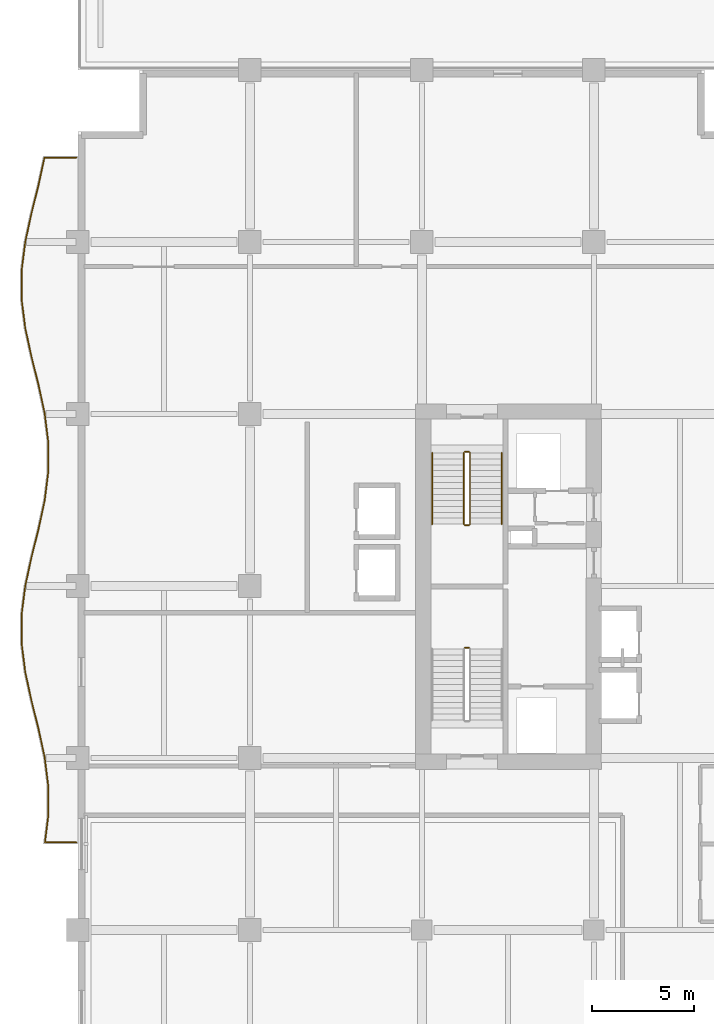
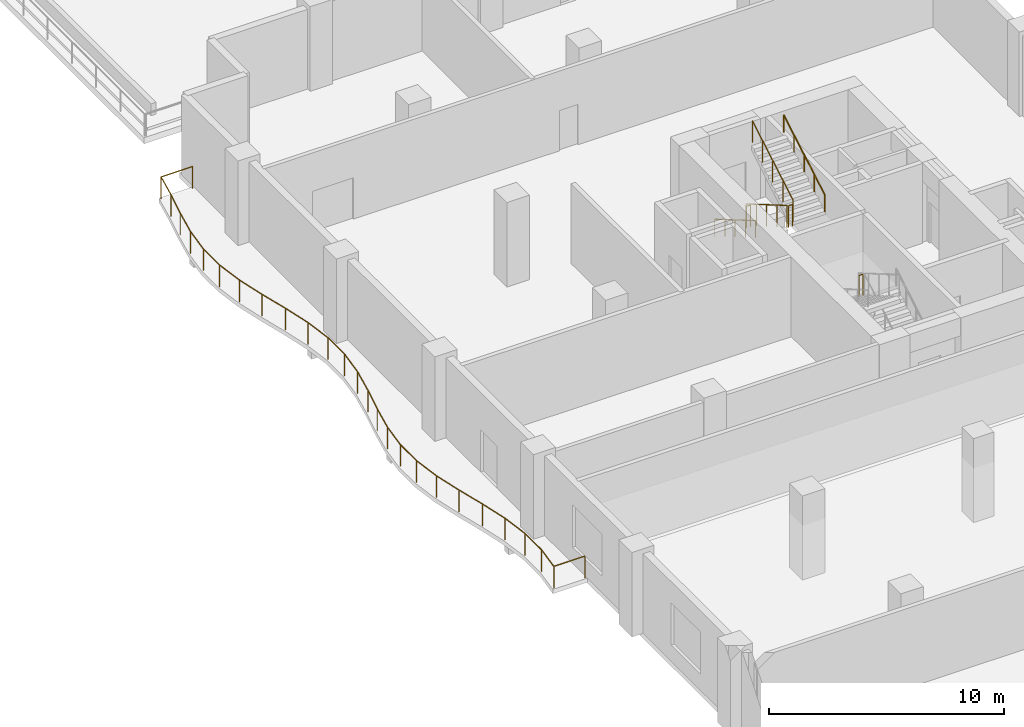
# One storey, part 21 of 22: 8 railings.
"""IFC4 building model written with IfcOpenShell, lengths in metres."""

from ifc_helpers import new_model, si_unit, direction, frame, origin, origin_2d, place, context, subcontext, project, spatial, circle, extrude, material, type_object, element, save


model = new_model("IFC4")

# Units and contexts
model_context = context("Model", 3, precision=1e-05, world=origin(), true_north=direction((0.0, 1.0)))
body_context = subcontext(model_context, "Body", "Model", "MODEL_VIEW")
ifc_project = project(units=[si_unit("LENGTHUNIT", "METRE"), si_unit("AREAUNIT", "SQUARE_METRE"), si_unit("VOLUMEUNIT", "CUBIC_METRE"), si_unit("PLANEANGLEUNIT", "RADIAN"), si_unit("MASSUNIT", "GRAM", prefix="KILO")], contexts=[model_context])

# Site, building, storey
site_placement = place(None, origin())
site = spatial("IfcSite", under=ifc_project, at=site_placement, CompositionType="ELEMENT")
building_placement = place(site_placement, origin())
building = spatial("IfcBuilding", under=site, at=building_placement, Name="Koriwani Terraces Tower", CompositionType="ELEMENT")
storey_placement = place(building_placement, frame((0.0, 0.0, 153.199951171875)))
storey = spatial("IfcBuildingStorey", under=building, at=storey_placement, Name="L37", CompositionType="ELEMENT", Elevation=153.199951171875)

# Railings
ifc_material = material(Name="Steel ASTM A572 Grade 50", Category="steel")
railing_type_1 = type_object("IfcRailingType", Name="GUARD_BALUSTRADE_1150", PredefinedType="BALUSTRADE", material=ifc_material)
railing_1_placement = place(storey_placement, frame((-0.080078125, 37.8798828125, 0.0)))
element("IfcRailing", 1, at=railing_1_placement, inside=storey, type_object=railing_type_1, Name="L37 Balcony Perimeter Safety Balustrade (W)", PredefinedType="BALUSTRADE", context=body_context, shape_type="SweptSolid", body=[
    extrude(circle(Radius=0.02392578125, at=origin_2d()), frame((0.0, 0.0, 1.1259765625), z_axis=(-1.0, 0.0, 0.0), x_axis=(0.0, -1.0, 0.0)), (0.0, 0.0, 1.0), 1.527099609375),
    extrude(circle(Radius=0.02392578125, at=origin_2d()), frame((-1.527099609375, 0.0, 1.1259765625), z_axis=(0.123603958219, 0.992331628798, 0.0), x_axis=(-0.992331628798, 0.123603958219, 0.0)), (0.0, 0.0, 1.0), 1.325439453125),
    extrude(circle(Radius=0.02392578125, at=origin_2d()), frame((-1.36328125, 1.315185546875, 1.1259765625), z_axis=(0.0, 1.0, 0.0), x_axis=(-1.0, 0.0, 0.0)), (0.0, 0.0, 1.0), 1.409912109375),
    extrude(circle(Radius=0.02392578125, at=origin_2d()), frame((-1.36328125, 2.72509765625, 1.1259765625), z_axis=(-0.123674829633, 0.992322798546, 0.0), x_axis=(-0.992322798546, -0.123674829633, 0.0)), (0.0, 0.0, 1.0), 1.41943359375),
    extrude(circle(Radius=0.02392578125, at=origin_2d()), frame((-1.538818359375, 4.133544921875, 1.1259765625), z_axis=(-0.21115295759, 0.977453031353, 0.0), x_axis=(-0.977453031353, -0.21115295759, 0.0)), (0.0, 0.0, 1.0), 1.437255859375),
    extrude(circle(Radius=0.02392578125, at=origin_2d()), frame((-1.84228515625, 5.538330078125, 1.1259765625), z_axis=(-0.242137466795, 0.970241952903, 0.0), x_axis=(-0.970241952903, -0.242137466795, 0.0)), (0.0, 0.0, 1.0), 1.44287109375),
    extrude(circle(Radius=0.02392578125, at=origin_2d()), frame((-2.191650390625, 6.938232421875, 1.1259765625), z_axis=(-0.211385782237, 0.977402706702, 0.0), x_axis=(-0.977402706702, -0.211385782237, 0.0)), (0.0, 0.0, 1.0), 1.427490234375),
    extrude(circle(Radius=0.02392578125, at=origin_2d()), frame((-2.493408203125, 8.33349609375, 1.1259765625), z_axis=(-0.123777613669, 0.992309982997, 0.0), x_axis=(-0.992309982997, -0.123777613669, 0.0)), (0.0, 0.0, 1.0), 1.40234375),
    extrude(circle(Radius=0.02392578125, at=origin_2d()), frame((-2.6669921875, 9.72509765625, 1.1259765625), z_axis=(0.0, 1.0, 0.0), x_axis=(-1.0, 0.0, 0.0)), (0.0, 0.0, 1.0), 1.39013671875),
    extrude(circle(Radius=0.02392578125, at=origin_2d()), frame((-2.6669921875, 11.115234375, 1.1259765625), z_axis=(0.123777613669, 0.992309982997, 0.0), x_axis=(-0.992309982997, 0.123777613669, 0.0)), (0.0, 0.0, 1.0), 1.40234375),
    extrude(circle(Radius=0.02392578125, at=origin_2d()), frame((-2.493408203125, 12.5068359375, 1.1259765625), z_axis=(0.211385782237, 0.977402706702, 0.0), x_axis=(-0.977402706702, 0.211385782237, 0.0)), (0.0, 0.0, 1.0), 1.427490234375),
    extrude(circle(Radius=0.02392578125, at=origin_2d()), frame((-2.191650390625, 13.902099609375, 1.1259765625), z_axis=(0.242137466795, 0.970241952903, 0.0), x_axis=(-0.970241952903, 0.242137466795, 0.0)), (0.0, 0.0, 1.0), 1.44287109375),
    extrude(circle(Radius=0.02392578125, at=origin_2d()), frame((-1.84228515625, 15.302001953125, 1.1259765625), z_axis=(0.21115295759, 0.977453031353, 0.0), x_axis=(-0.977453031353, 0.21115295759, 0.0)), (0.0, 0.0, 1.0), 1.437255859375),
    extrude(circle(Radius=0.02392578125, at=origin_2d()), frame((-1.538818359375, 16.706787109375, 1.1259765625), z_axis=(0.123674829633, 0.992322798546, 0.0), x_axis=(-0.992322798546, 0.123674829633, 0.0)), (0.0, 0.0, 1.0), 1.41943359375),
    extrude(circle(Radius=0.02392578125, at=origin_2d()), frame((-1.36328125, 18.115234375, 1.1259765625), z_axis=(0.0, 1.0, 0.0), x_axis=(-1.0, 0.0, 0.0)), (0.0, 0.0, 1.0), 1.409912109375),
    extrude(circle(Radius=0.02392578125, at=origin_2d()), frame((-1.36328125, 19.525146484375, 1.1259765625), z_axis=(-0.123674829633, 0.992322798546, 0.0), x_axis=(-0.992322798546, -0.123674829633, 0.0)), (0.0, 0.0, 1.0), 1.41943359375),
    extrude(circle(Radius=0.02392578125, at=origin_2d()), frame((-1.538818359375, 20.93359375, 1.1259765625), z_axis=(-0.211188023857, 0.977445455552, 0.0), x_axis=(-0.977445455552, -0.211188023857, 0.0)), (0.0, 0.0, 1.0), 1.43701171875),
    extrude(circle(Radius=0.02392578125, at=origin_2d()), frame((-1.84228515625, 22.338134765625, 1.1259765625), z_axis=(-0.242097720621, 0.970251871253, 0.0), x_axis=(-0.970251871253, -0.242097720621, 0.0)), (0.0, 0.0, 1.0), 1.443115234375),
    extrude(circle(Radius=0.02392578125, at=origin_2d()), frame((-2.191650390625, 23.73828125, 1.1259765625), z_axis=(-0.211385782237, 0.977402706702, 0.0), x_axis=(-0.977402706702, -0.211385782237, 0.0)), (0.0, 0.0, 1.0), 1.427490234375),
    extrude(circle(Radius=0.02392578125, at=origin_2d()), frame((-2.493408203125, 25.133544921875, 1.1259765625), z_axis=(-0.123777613669, 0.992309982997, 0.0), x_axis=(-0.992309982997, -0.123777613669, 0.0)), (0.0, 0.0, 1.0), 1.40234375),
    extrude(circle(Radius=0.02392578125, at=origin_2d()), frame((-2.6669921875, 26.525146484375, 1.1259765625), z_axis=(0.0, 1.0, 0.0), x_axis=(-1.0, 0.0, 0.0)), (0.0, 0.0, 1.0), 1.389892578125),
    extrude(circle(Radius=0.02392578125, at=origin_2d()), frame((-2.6669921875, 27.9150390625, 1.1259765625), z_axis=(0.123777613669, 0.992309982997, 0.0), x_axis=(-0.992309982997, 0.123777613669, 0.0)), (0.0, 0.0, 1.0), 1.40234375),
    extrude(circle(Radius=0.02392578125, at=origin_2d()), frame((-2.493408203125, 29.306640625, 1.1259765625), z_axis=(0.211385782237, 0.977402706702, 0.0), x_axis=(-0.977402706702, 0.211385782237, 0.0)), (0.0, 0.0, 1.0), 1.427490234375),
    extrude(circle(Radius=0.02392578125, at=origin_2d()), frame((-2.191650390625, 30.701904296875, 1.1259765625), z_axis=(0.242097720621, 0.970251871253, 0.0), x_axis=(-0.970251871253, 0.242097720621, 0.0)), (0.0, 0.0, 1.0), 1.443115234375),
    extrude(circle(Radius=0.02392578125, at=origin_2d()), frame((-1.84228515625, 32.10205078125, 1.1259765625), z_axis=(0.211318979222, 0.977417151998, 0.0), x_axis=(-0.977417151998, 0.211318979222, 0.0)), (0.0, 0.0, 1.0), 1.369140625),
    extrude(circle(Radius=0.02392578125, at=origin_2d()), frame((-1.552978515625, 33.440185546875, 1.1259765625), z_axis=(1.0, 0.0, 0.0), x_axis=(0.0, 1.0, 0.0)), (0.0, 0.0, 1.0), 1.552978515625),
    extrude(circle(Radius=0.02099609375, at=origin_2d()), origin(), (0.0, 0.0, 1.0), 1.101806640625),
    extrude(circle(Radius=0.02099609375, at=origin_2d()), frame((-1.527099609375, 0.0, 0.0)), (0.0, 0.0, 1.0), 1.101806640625),
    extrude(circle(Radius=0.02099609375, at=origin_2d()), frame((-1.36328125, 1.315185546875, 0.0)), (0.0, 0.0, 1.0), 1.101806640625),
    extrude(circle(Radius=0.02099609375, at=origin_2d()), frame((-1.36328125, 2.72509765625, 0.0)), (0.0, 0.0, 1.0), 1.101806640625),
    extrude(circle(Radius=0.02099609375, at=origin_2d()), frame((-1.538818359375, 4.133544921875, 0.0)), (0.0, 0.0, 1.0), 1.101806640625),
    extrude(circle(Radius=0.02099609375, at=origin_2d()), frame((-1.84228515625, 5.538330078125, 0.0)), (0.0, 0.0, 1.0), 1.101806640625),
    extrude(circle(Radius=0.02099609375, at=origin_2d()), frame((-2.191650390625, 6.938232421875, 0.0)), (0.0, 0.0, 1.0), 1.101806640625),
    extrude(circle(Radius=0.02099609375, at=origin_2d()), frame((-2.493408203125, 8.33349609375, 0.0)), (0.0, 0.0, 1.0), 1.101806640625),
    extrude(circle(Radius=0.02099609375, at=origin_2d()), frame((-2.6669921875, 9.72509765625, 0.0)), (0.0, 0.0, 1.0), 1.101806640625),
    extrude(circle(Radius=0.02099609375, at=origin_2d()), frame((-2.6669921875, 11.115234375, 0.0)), (0.0, 0.0, 1.0), 1.101806640625),
    extrude(circle(Radius=0.02099609375, at=origin_2d()), frame((-2.493408203125, 12.5068359375, 0.0)), (0.0, 0.0, 1.0), 1.101806640625),
    extrude(circle(Radius=0.02099609375, at=origin_2d()), frame((-2.191650390625, 13.902099609375, 0.0)), (0.0, 0.0, 1.0), 1.101806640625),
    extrude(circle(Radius=0.02099609375, at=origin_2d()), frame((-1.84228515625, 15.302001953125, 0.0)), (0.0, 0.0, 1.0), 1.101806640625),
    extrude(circle(Radius=0.02099609375, at=origin_2d()), frame((-1.538818359375, 16.706787109375, 0.0)), (0.0, 0.0, 1.0), 1.101806640625),
    extrude(circle(Radius=0.02099609375, at=origin_2d()), frame((-1.36328125, 18.115234375, 0.0)), (0.0, 0.0, 1.0), 1.101806640625),
    extrude(circle(Radius=0.02099609375, at=origin_2d()), frame((-1.36328125, 19.525146484375, 0.0)), (0.0, 0.0, 1.0), 1.101806640625),
    extrude(circle(Radius=0.02099609375, at=origin_2d()), frame((-1.538818359375, 20.93359375, 0.0)), (0.0, 0.0, 1.0), 1.101806640625),
    extrude(circle(Radius=0.02099609375, at=origin_2d()), frame((-1.84228515625, 22.338134765625, 0.0)), (0.0, 0.0, 1.0), 1.101806640625),
    extrude(circle(Radius=0.02099609375, at=origin_2d()), frame((-2.191650390625, 23.73828125, 0.0)), (0.0, 0.0, 1.0), 1.101806640625),
    extrude(circle(Radius=0.02099609375, at=origin_2d()), frame((-2.493408203125, 25.133544921875, 0.0)), (0.0, 0.0, 1.0), 1.101806640625),
    extrude(circle(Radius=0.02099609375, at=origin_2d()), frame((-2.6669921875, 26.525146484375, 0.0)), (0.0, 0.0, 1.0), 1.101806640625),
    extrude(circle(Radius=0.02099609375, at=origin_2d()), frame((-2.6669921875, 27.9150390625, 0.0)), (0.0, 0.0, 1.0), 1.101806640625),
    extrude(circle(Radius=0.02099609375, at=origin_2d()), frame((-2.493408203125, 29.306640625, 0.0)), (0.0, 0.0, 1.0), 1.101806640625),
    extrude(circle(Radius=0.02099609375, at=origin_2d()), frame((-2.191650390625, 30.701904296875, 0.0)), (0.0, 0.0, 1.0), 1.101806640625),
    extrude(circle(Radius=0.02099609375, at=origin_2d()), frame((-1.84228515625, 32.10205078125, 0.0)), (0.0, 0.0, 1.0), 1.101806640625),
    extrude(circle(Radius=0.02099609375, at=origin_2d()), frame((-1.552978515625, 33.440185546875, 0.0)), (0.0, 0.0, 1.0), 1.101806640625),
    extrude(circle(Radius=0.02099609375, at=origin_2d()), frame((0.0, 33.440185546875, 0.0)), (0.0, 0.0, 1.0), 1.101806640625),
])
railing_type_2 = type_object("IfcRailingType", Name="GUARD_STAIR_WELL_1120", PredefinedType="GUARDRAIL", material=ifc_material)
railing_2_placement = place(storey_placement, frame((19.10009765625, 47.3798828125, 2.199951171875)))
element("IfcRailing", 2, at=railing_2_placement, inside=storey, type_object=railing_type_2, Name="L37 ST-W1 stair guard 2", PredefinedType="GUARDRAIL", context=body_context, shape_type="SweptSolid", body=[
    extrude(circle(Radius=0.02392578125, at=origin_2d()), frame((0.0, 0.0, 1.1259765625), z_axis=(-1.0, 0.0, 0.0), x_axis=(0.0, -1.0, 0.0)), (0.0, 0.0, 1.0), 0.2001953125),
    extrude(circle(Radius=0.02099609375, at=origin_2d()), origin(), (0.0, 0.0, 1.0), 1.101806640625),
    extrude(circle(Radius=0.02099609375, at=origin_2d()), frame((-0.2001953125, 0.0, 0.0)), (0.0, 0.0, 1.0), 1.101806640625),
])
railing_3_placement = place(storey_placement, frame((18.85009765625, 56.89990234375, 0.169189453125)))
element("IfcRailing", 3, at=railing_3_placement, inside=storey, type_object=railing_type_2, Name="L37 ST-W2 stair guard 1", PredefinedType="GUARDRAIL", context=body_context, shape_type="SweptSolid", body=[
    extrude(circle(Radius=0.02392578125, at=origin_2d()), frame((0.0, 0.0, 1.1259765625), z_axis=(0.0, -0.863695377172, 0.504014181796), x_axis=(1.0, 0.0, 0.0)), (0.0, 0.0, 1.0), 4.029296875),
    extrude(circle(Radius=0.02099609375, at=origin_2d()), origin(), (0.0, 0.0, 1.0), 1.101806640625),
    extrude(circle(Radius=0.02099609375, at=origin_2d()), frame((0.0, -0.8701171875, 0.5078125)), (0.0, 0.0, 1.0), 1.101806640625),
    extrude(circle(Radius=0.02099609375, at=origin_2d()), frame((0.0, -1.739990234375, 1.015380859375)), (0.0, 0.0, 1.0), 1.101806640625),
    extrude(circle(Radius=0.02099609375, at=origin_2d()), frame((0.0, -2.60986328125, 1.52294921875)), (0.0, 0.0, 1.0), 1.101806640625),
    extrude(circle(Radius=0.02099609375, at=origin_2d()), frame((0.0, -3.47998046875, 2.03076171875)), (0.0, 0.0, 1.0), 1.101806640625),
])
railing_4_placement = place(storey_placement, frame((18.89990234375, 53.3701171875, 2.199951171875)))
element("IfcRailing", 4, at=railing_4_placement, inside=storey, type_object=railing_type_2, Name="L37 ST-W2 stair guard 2", PredefinedType="GUARDRAIL", context=body_context, shape_type="SweptSolid", body=[
    extrude(circle(Radius=0.02392578125, at=origin_2d()), frame((0.0, 0.0, 1.1259765625), z_axis=(1.0, 0.0, 0.0), x_axis=(0.0, 1.0, 0.0)), (0.0, 0.0, 1.0), 0.2001953125),
    extrude(circle(Radius=0.02099609375, at=origin_2d()), origin(), (0.0, 0.0, 1.0), 1.101806640625),
    extrude(circle(Radius=0.02099609375, at=origin_2d()), frame((0.2001953125, 0.0, 0.0)), (0.0, 0.0, 1.0), 1.101806640625),
])
railing_5_placement = place(storey_placement, frame((19.14990234375, 53.419921875, 2.369384765625)))
element("IfcRailing", 5, at=railing_5_placement, inside=storey, type_object=railing_type_2, Name="L37 ST-W2 stair guard 3", PredefinedType="GUARDRAIL", context=body_context, shape_type="SweptSolid", body=[
    extrude(circle(Radius=0.02392578125, at=origin_2d()), frame((0.0, 0.0, 1.1259765625), z_axis=(0.0, 0.863695377172, 0.504014181796), x_axis=(-1.0, 0.0, 0.0)), (0.0, 0.0, 1.0), 4.029296875),
    extrude(circle(Radius=0.02099609375, at=origin_2d()), origin(), (0.0, 0.0, 1.0), 1.101806640625),
    extrude(circle(Radius=0.02099609375, at=origin_2d()), frame((0.0, 0.8701171875, 0.5078125)), (0.0, 0.0, 1.0), 1.101806640625),
    extrude(circle(Radius=0.02099609375, at=origin_2d()), frame((0.0, 1.739990234375, 1.015380859375)), (0.0, 0.0, 1.0), 1.101806640625),
    extrude(circle(Radius=0.02099609375, at=origin_2d()), frame((0.0, 2.60986328125, 1.52294921875)), (0.0, 0.0, 1.0), 1.101806640625),
    extrude(circle(Radius=0.02099609375, at=origin_2d()), frame((0.0, 3.47998046875, 2.03076171875)), (0.0, 0.0, 1.0), 1.101806640625),
])
railing_6_placement = place(storey_placement, frame((18.89990234375, 56.949951171875, 0.0)))
element("IfcRailing", 6, at=railing_6_placement, inside=storey, type_object=railing_type_2, Name="L37 ST-W2 stair guard 4", PredefinedType="GUARDRAIL", context=body_context, shape_type="SweptSolid", body=[
    extrude(circle(Radius=0.02392578125, at=origin_2d()), frame((0.0, 0.0, 1.1259765625), z_axis=(1.0, 0.0, 0.0), x_axis=(0.0, 1.0, 0.0)), (0.0, 0.0, 1.0), 0.2001953125),
    extrude(circle(Radius=0.02099609375, at=origin_2d()), origin(), (0.0, 0.0, 1.0), 1.101806640625),
    extrude(circle(Radius=0.02099609375, at=origin_2d()), frame((0.2001953125, 0.0, 0.0)), (0.0, 0.0, 1.0), 1.101806640625),
])
railing_type_3 = type_object("IfcRailingType", Name="HANDRAIL_STAIR_920", PredefinedType="HANDRAIL", material=ifc_material)
railing_7_placement = place(storey_placement, frame((17.300048828125, 56.89990234375, 0.169189453125)))
element("IfcRailing", 7, at=railing_7_placement, inside=storey, type_object=railing_type_3, Name="L37 ST-W2 stair handrail 1", PredefinedType="HANDRAIL", context=body_context, shape_type="SweptSolid", body=[
    extrude(circle(Radius=0.02392578125, at=origin_2d()), frame((0.0, 0.0, 0.8759765625), z_axis=(0.0, -0.863695377172, 0.504014181796), x_axis=(1.0, 0.0, 0.0)), (0.0, 0.0, 1.0), 4.029296875),
    extrude(circle(Radius=0.02099609375, at=origin_2d()), origin(), (0.0, 0.0, 1.0), 0.851806640625),
    extrude(circle(Radius=0.02099609375, at=origin_2d()), frame((0.0, -0.8701171875, 0.5078125)), (0.0, 0.0, 1.0), 0.851806640625),
    extrude(circle(Radius=0.02099609375, at=origin_2d()), frame((0.0, -1.739990234375, 1.015380859375)), (0.0, 0.0, 1.0), 0.851806640625),
    extrude(circle(Radius=0.02099609375, at=origin_2d()), frame((0.0, -2.60986328125, 1.52294921875)), (0.0, 0.0, 1.0), 0.851806640625),
    extrude(circle(Radius=0.02099609375, at=origin_2d()), frame((0.0, -3.47998046875, 2.03076171875)), (0.0, 0.0, 1.0), 0.851806640625),
])
railing_8_placement = place(storey_placement, frame((20.699951171875, 53.419921875, 2.369384765625)))
element("IfcRailing", 8, at=railing_8_placement, inside=storey, type_object=railing_type_3, Name="L37 ST-W2 stair handrail 2", PredefinedType="HANDRAIL", context=body_context, shape_type="SweptSolid", body=[
    extrude(circle(Radius=0.02392578125, at=origin_2d()), frame((0.0, 0.0, 0.8759765625), z_axis=(0.0, 0.863695377172, 0.504014181796), x_axis=(-1.0, 0.0, 0.0)), (0.0, 0.0, 1.0), 4.029296875),
    extrude(circle(Radius=0.02099609375, at=origin_2d()), origin(), (0.0, 0.0, 1.0), 0.851806640625),
    extrude(circle(Radius=0.02099609375, at=origin_2d()), frame((0.0, 0.8701171875, 0.5078125)), (0.0, 0.0, 1.0), 0.851806640625),
    extrude(circle(Radius=0.02099609375, at=origin_2d()), frame((0.0, 1.739990234375, 1.015380859375)), (0.0, 0.0, 1.0), 0.851806640625),
    extrude(circle(Radius=0.02099609375, at=origin_2d()), frame((0.0, 2.60986328125, 1.52294921875)), (0.0, 0.0, 1.0), 0.851806640625),
    extrude(circle(Radius=0.02099609375, at=origin_2d()), frame((0.0, 3.47998046875, 2.03076171875)), (0.0, 0.0, 1.0), 0.851806640625),
])

save(model, "model.ifc")
